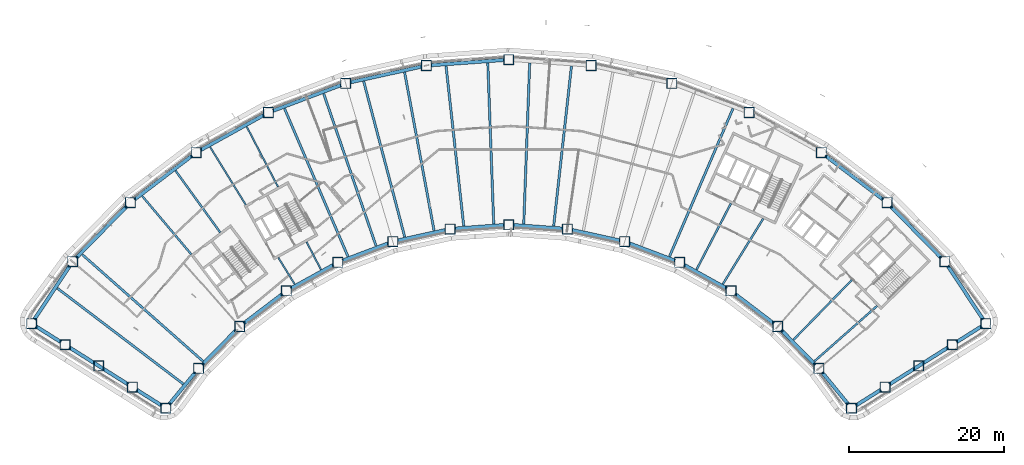
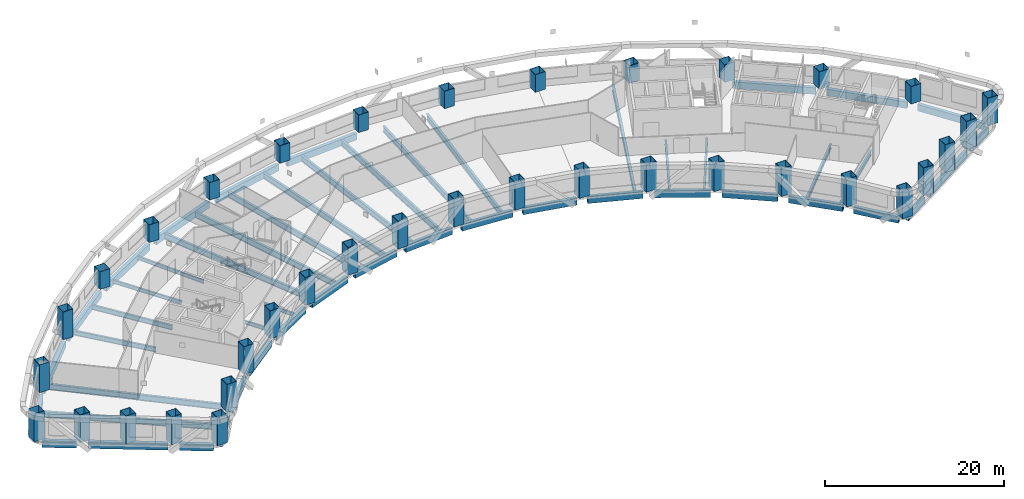
# One storey, part 1 of 19: 51 beams, 36 columns.
"""IFC4 building model written with IfcOpenShell, lengths in metres."""

from ifc_helpers import new_model, si_unit, direction, frame, origin, origin_2d, place, context, subcontext, project, spatial, hollow_rectangle, i_section, extrude, material, material_profile, profile_set, type_object, element, save


model = new_model("IFC4")

# Units and contexts
model_context = context("Model", 3, precision=1e-05, world=origin(), true_north=direction((0.0, 1.0)))
body_context = subcontext(model_context, "Body", "Model", "MODEL_VIEW")
ifc_project = project(units=[si_unit("LENGTHUNIT", "METRE"), si_unit("AREAUNIT", "SQUARE_METRE"), si_unit("VOLUMEUNIT", "CUBIC_METRE"), si_unit("PLANEANGLEUNIT", "RADIAN"), si_unit("MASSUNIT", "GRAM", prefix="KILO")], contexts=[model_context])

# Site, building, storey
site_placement = place(None, origin())
site = spatial("IfcSite", under=ifc_project, at=site_placement, CompositionType="ELEMENT")
building_placement = place(site_placement, origin())
building = spatial("IfcBuilding", under=site, at=building_placement, Name="Tuul Gate Civic Tower", CompositionType="ELEMENT")
storey_placement = place(building_placement, frame((0.0, 0.0, 56.699951171875)))
storey = spatial("IfcBuildingStorey", under=building, at=storey_placement, Name="Level 12", CompositionType="ELEMENT", Elevation=56.699951171875)

# Columns
ifc_material_1 = material(Name="Steel S355", Category="steel")
ifc_material_profile_1 = material_profile(ifc_material_1, hollow_rectangle(XDim=1.300048828125, YDim=1.300048828125, WallThickness=0.0400390625, at=origin_2d()), Name="BOX1300x1300x40")
ifc_profile_set_1 = profile_set([ifc_material_profile_1], Name="Steel S355")
column_type = type_object("IfcColumnType", Name="STR-COLUMN-BOX1300x1300x40", PredefinedType="COLUMN", material=ifc_profile_set_1)
column_placement = place(storey_placement, frame((61.6708984375, -20.22998046875, 0.0), z_axis=(0.0, 0.0, 1.0), x_axis=(1.0, 0.0, 0.0)))
element("IfcColumn", 1, at=column_placement, inside=storey, type_object=column_type, Name="Column", PredefinedType="COLUMN", context=body_context, shape_type="SweptSolid", body=[
    extrude(hollow_rectangle(XDim=1.300048828125, YDim=1.300048828125, WallThickness=0.0400390625, at=origin_2d()), origin(), (0.0, 0.0, 1.0), 3.800048828125),
])
for number, where, z_axis, x_axis, name in (
    (2, (56.3720703125, -12.217041015625, 0.0), (0.0, 0.0, 1.0), (1.0, 0.0, 0.0), "Column"),
    (3, (48.89794921875, -4.592041015625, 0.0), (0.0, 0.0, 1.0), (1.0, 0.0, 0.0), "Column"),
    (4, (40.402099609375, 1.8759765625, 0.0), (0.0, 0.0, 1.0), (1.0, 0.0, 0.0), "Column"),
    (5, (31.06396484375, 7.052001953125, 0.0), (0.0, 0.0, 1.0), (1.0, 0.0, 0.0), "Column"),
    (6, (21.076904296875, 10.8291015625, 0.0), (0.0, 0.0, 1.0), (1.0, 0.0, 0.0), "Column"),
    (7, (10.64892578125, 13.126953125, 0.0), (0.0, 0.0, 1.0), (1.0, 0.0, 0.0), "Column"),
    (8, (0.0, 13.89794921875, 0.0), (0.0, 0.0, 1.0), (1.0, 0.0, 0.0), "Column"),
    (9, (-10.64892578125, 13.126953125, 0.0), (0.0, 0.0, 1.0), (1.0, 0.0, 0.0), "Column"),
    (10, (-21.076904296875, 10.8291015625, 0.0), (0.0, 0.0, 1.0), (1.0, 0.0, 0.0), "Column"),
    (11, (-31.06396484375, 7.052001953125, 0.0), (0.0, 0.0, 1.0), (1.0, 0.0, 0.0), "Column"),
    (12, (-40.402099609375, 1.8759765625, 0.0), (0.0, 0.0, 1.0), (1.0, 0.0, 0.0), "Column"),
):
    element("IfcColumn", number, at=place(storey_placement, frame(where, z_axis=z_axis, x_axis=x_axis)), inside=storey, type_object=column_type, Name=name, PredefinedType="COLUMN", context=body_context, shape_type="SweptSolid", body=[
        extrude(hollow_rectangle(XDim=1.300048828125, YDim=1.300048828125, WallThickness=0.0400390625, at=origin_2d()), origin(), (0.0, 0.0, 1.0), 2.400146484375),
    ])
for number, where, z_axis, x_axis, name in (
    (13, (-48.89794921875, -4.592041015625, 0.0), (0.0, 0.0, 1.0), (1.0, 0.0, 0.0), "Column"),
    (14, (-56.3720703125, -12.217041015625, 0.0), (0.0, 0.0, 1.0), (1.0, 0.0, 0.0), "Column"),
    (15, (-61.6708984375, -20.22998046875, 0.0), (0.0, 0.0, 1.0), (1.0, 0.0, 0.0), "Column"),
    (16, (-57.327880859375, -22.964111328125, 0.0), (0.0, 0.0, 1.0), (1.0, 0.0, 0.0), "Column"),
    (17, (-52.986083984375, -25.698974609375, 0.0), (0.0, 0.0, 1.0), (1.0, 0.0, 0.0), "Column"),
    (18, (-48.64306640625, -28.43408203125, 0.0), (0.0, 0.0, 1.0), (1.0, 0.0, 0.0), "Column"),
    (19, (-44.301025390625, -31.16796875, 0.0), (0.0, 0.0, 1.0), (1.0, 0.0, 0.0), "Column"),
    (20, (-40.0810546875, -26.02587890625, 0.0), (0.0, 0.0, 1.0), (1.0, 0.0, 0.0), "Column"),
    (21, (-34.76708984375, -20.60498046875, 0.0), (0.0, 0.0, 1.0), (1.0, 0.0, 0.0), "Column"),
    (22, (-28.72705078125, -16.006103515625, 0.0), (0.0, 0.0, 1.0), (1.0, 0.0, 0.0), "Column"),
    (23, (-22.0869140625, -12.324951171875, 0.0), (0.0, 0.0, 1.0), (1.0, 0.0, 0.0), "Column"),
    (24, (-14.986083984375, -9.639892578125, 0.0), (0.0, 0.0, 1.0), (1.0, 0.0, 0.0), "Column"),
    (25, (-7.572021484375, -8.006103515625, 0.0), (0.0, 0.0, 1.0), (1.0, 0.0, 0.0), "Column"),
    (26, (0.0, -7.45703125, 0.0), (0.0, 0.0, 1.0), (1.0, 0.0, 0.0), "Column"),
    (27, (7.572021484375, -8.006103515625, 0.0), (0.0, 0.0, 1.0), (1.0, 0.0, 0.0), "Column"),
    (28, (14.986083984375, -9.639892578125, 0.0), (0.0, 0.0, 1.0), (1.0, 0.0, 0.0), "Column"),
    (29, (22.0869140625, -12.324951171875, 0.0), (0.0, 0.0, 1.0), (1.0, 0.0, 0.0), "Column"),
    (30, (28.72705078125, -16.006103515625, 0.0), (0.0, 0.0, 1.0), (1.0, 0.0, 0.0), "Column"),
    (31, (34.76708984375, -20.60498046875, 0.0), (0.0, 0.0, 1.0), (1.0, 0.0, 0.0), "Column"),
    (32, (40.0810546875, -26.02587890625, 0.0), (0.0, 0.0, 1.0), (1.0, 0.0, 0.0), "Column"),
    (33, (44.301025390625, -31.16796875, 0.0), (0.0, 0.0, 1.0), (1.0, 0.0, 0.0), "Column"),
    (34, (48.64306640625, -28.43408203125, 0.0), (0.0, 0.0, 1.0), (1.0, 0.0, 0.0), "Column"),
    (35, (52.986083984375, -25.698974609375, 0.0), (0.0, 0.0, 1.0), (1.0, 0.0, 0.0), "Column"),
    (36, (57.327880859375, -22.964111328125, 0.0), (0.0, 0.0, 1.0), (1.0, 0.0, 0.0), "Column"),
):
    element("IfcColumn", number, at=place(storey_placement, frame(where, z_axis=z_axis, x_axis=x_axis)), inside=storey, type_object=column_type, Name=name, PredefinedType="COLUMN", context=body_context, shape_type="SweptSolid", body=[
        extrude(hollow_rectangle(XDim=1.300048828125, YDim=1.300048828125, WallThickness=0.0400390625, at=origin_2d()), origin(), (0.0, 0.0, 1.0), 3.800048828125),
    ])

# Beams
ifc_material_2 = material(Name="Steel S355", Category="steel")
ifc_material_profile_2 = material_profile(ifc_material_2, i_section(OverallWidth=0.199951171875, OverallDepth=0.5, WebThickness=0.010009765625, FlangeThickness=0.01611328125, at=origin_2d()), Name="PG500x200x10x16")
ifc_profile_set_2 = profile_set([ifc_material_profile_2], Name="Steel S355")
beam_type_1 = type_object("IfcBeamType", Name="STR-FLOOR BEAM-PG500x200x10x16", PredefinedType="BEAM", material=ifc_profile_set_2)
beam_1_placement = place(storey_placement, frame((-24.271484375, -13.25, -0.550048828125), z_axis=(-0.460753800017, 0.887527991541, 0.0), x_axis=(-0.887527991541, -0.460753800017, 0.0)))
element("IfcBeam", 37, at=beam_1_placement, inside=storey, type_object=beam_type_1, Name="Floor beam", PredefinedType="BEAM", context=body_context, shape_type="SweptSolid", body=[
    extrude(i_section(OverallWidth=0.199951171875, OverallDepth=0.5, WebThickness=0.010009765625, FlangeThickness=0.01611328125, at=origin_2d()), origin(), (0.0, 0.0, 1.0), 4.03076171875),
])
beam_2_placement = place(storey_placement, frame((-29.816162109375, -2.570068359375, -0.550048828125), z_axis=(-0.460796303888, 0.887505924669, 0.0), x_axis=(-0.887505924669, -0.460796303888, 0.0)))
element("IfcBeam", 38, at=beam_2_placement, inside=storey, type_object=beam_type_1, Name="Floor beam", PredefinedType="BEAM", context=body_context, shape_type="SweptSolid", body=[
    extrude(i_section(OverallWidth=0.199951171875, OverallDepth=0.5, WebThickness=0.010009765625, FlangeThickness=0.01611328125, at=origin_2d()), origin(), (0.0, 0.0, 1.0), 8.77392578125),
])
beam_3_placement = place(storey_placement, frame((-27.666015625, -15.132080078125, -0.550048828125), z_axis=(-0.52482658642, 0.851209171818, 0.0), x_axis=(-0.851209171818, -0.52482658642, 0.0)))
element("IfcBeam", 39, at=beam_3_placement, inside=storey, type_object=beam_type_1, Name="Floor beam", PredefinedType="BEAM", context=body_context, shape_type="SweptSolid", body=[
    extrude(i_section(OverallWidth=0.199951171875, OverallDepth=0.5, WebThickness=0.010009765625, FlangeThickness=0.01611328125, at=origin_2d()), origin(), (0.0, 0.0, 1.0), 4.0341796875),
])
beam_4_placement = place(storey_placement, frame((-33.986572265625, -4.881591796875, -0.550048828125), z_axis=(-0.524852775892, 0.851193023725, 0.0), x_axis=(-0.851193023725, -0.524852775892, 0.0)))
element("IfcBeam", 40, at=beam_4_placement, inside=storey, type_object=beam_type_1, Name="Floor beam", PredefinedType="BEAM", context=body_context, shape_type="SweptSolid", body=[
    extrude(i_section(OverallWidth=0.199951171875, OverallDepth=0.5, WebThickness=0.010009765625, FlangeThickness=0.01611328125, at=origin_2d()), origin(), (0.0, 0.0, 1.0), 8.77978515625),
])
ifc_material_3 = material(Name="Steel S355", Category="steel")
ifc_material_profile_3 = material_profile(ifc_material_3, i_section(OverallWidth=0.25, OverallDepth=0.64990234375, WebThickness=0.011962890625, FlangeThickness=0.02001953125, at=origin_2d()), Name="PG650x250x12x20")
ifc_profile_set_3 = profile_set([ifc_material_profile_3], Name="Steel S355")
beam_type_2 = type_object("IfcBeamType", Name="STR-FLOOR BEAM-PG650x250x12x20", PredefinedType="BEAM", material=ifc_profile_set_3)
beam_5_placement = place(storey_placement, frame((39.515625, -25.092041015625, -0.625), z_axis=(0.749453803996, 0.662056640836, 0.0), x_axis=(-0.662056640836, 0.749453803996, 0.0)))
element("IfcBeam", 41, at=beam_5_placement, inside=storey, type_object=beam_type_2, Name="Floor beam", PredefinedType="BEAM", context=body_context, shape_type="SweptSolid", body=[
    extrude(i_section(OverallWidth=0.25, OverallDepth=0.64990234375, WebThickness=0.011962890625, FlangeThickness=0.02001953125, at=origin_2d()), origin(), (0.0, 0.0, 1.0), 10.819091796875),
])
beam_6_placement = place(storey_placement, frame((36.79833984375, -22.320068359375, -0.625), z_axis=(0.69867607041, 0.71543815151, 0.0), x_axis=(-0.71543815151, 0.69867607041, 0.0)))
element("IfcBeam", 42, at=beam_6_placement, inside=storey, type_object=beam_type_2, Name="Floor beam", PredefinedType="BEAM", context=body_context, shape_type="SweptSolid", body=[
    extrude(i_section(OverallWidth=0.25, OverallDepth=0.64990234375, WebThickness=0.011962890625, FlangeThickness=0.02001953125, at=origin_2d()), origin(), (0.0, 0.0, 1.0), 10.807373046875),
])
beam_7_placement = place(storey_placement, frame((27.666015625, -15.132080078125, -0.625), z_axis=(0.524860290861, 0.851188389886, 0.0), x_axis=(-0.851188389886, 0.524860290861, 0.0)))
element("IfcBeam", 43, at=beam_7_placement, inside=storey, type_object=beam_type_2, Name="Floor beam", PredefinedType="BEAM", context=body_context, shape_type="SweptSolid", body=[
    extrude(i_section(OverallWidth=0.25, OverallDepth=0.64990234375, WebThickness=0.011962890625, FlangeThickness=0.02001953125, at=origin_2d()), origin(), (0.0, 0.0, 1.0), 9.960693359375),
])
beam_8_placement = place(storey_placement, frame((24.271484375, -13.25, -0.625), z_axis=(0.460769194318, 0.887519999531, 0.0), x_axis=(-0.887519999531, 0.460769194318, 0.0)))
element("IfcBeam", 44, at=beam_8_placement, inside=storey, type_object=beam_type_2, Name="Floor beam", PredefinedType="BEAM", context=body_context, shape_type="SweptSolid", body=[
    extrude(i_section(OverallWidth=0.25, OverallDepth=0.64990234375, WebThickness=0.011962890625, FlangeThickness=0.02001953125, at=origin_2d()), origin(), (0.0, 0.0, 1.0), 9.631103515625),
])
beam_9_placement = place(storey_placement, frame((-37.289794921875, -8.447265625, -0.625), z_axis=(-0.586084828099, 0.810249698717, 0.0), x_axis=(-0.810249698717, -0.586084828099, 0.0)))
element("IfcBeam", 45, at=beam_9_placement, inside=storey, type_object=beam_type_2, Name="Floor beam", PredefinedType="BEAM", context=body_context, shape_type="SweptSolid", body=[
    extrude(i_section(OverallWidth=0.25, OverallDepth=0.64990234375, WebThickness=0.011962890625, FlangeThickness=0.02001953125, at=origin_2d()), origin(), (0.0, 0.0, 1.0), 9.85205078125),
])
beam_10_placement = place(storey_placement, frame((-41.0205078125, -11.28759765625, -0.625), z_axis=(-0.64412583455, 0.764919544308, 0.0), x_axis=(-0.764919544308, -0.64412583455, 0.0)))
element("IfcBeam", 46, at=beam_10_placement, inside=storey, type_object=beam_type_2, Name="Floor beam", PredefinedType="BEAM", context=body_context, shape_type="SweptSolid", body=[
    extrude(i_section(OverallWidth=0.25, OverallDepth=0.64990234375, WebThickness=0.011962890625, FlangeThickness=0.02001953125, at=origin_2d()), origin(), (0.0, 0.0, 1.0), 9.861083984375),
])
ifc_material_4 = material(Name="Steel S355", Category="steel")
ifc_material_profile_4 = material_profile(ifc_material_4, i_section(OverallWidth=0.300048828125, OverallDepth=0.800048828125, WebThickness=0.013916015625, FlangeThickness=0.02490234375, at=origin_2d()), Name="PG800x300x14x25")
ifc_profile_set_4 = profile_set([ifc_material_profile_4], Name="Steel S355")
beam_type_3 = type_object("IfcBeamType", Name="STR-FLOOR BEAM-PG800x300x14x25", PredefinedType="BEAM", material=ifc_profile_set_4)
beam_11_placement = place(storey_placement, frame((20.776611328125, -11.562255859375, -0.699951171875), z_axis=(0.394196672068, 0.91902610612, 0.0), x_axis=(-0.91902610612, 0.394196672068, 0.0)))
element("IfcBeam", 47, at=beam_11_placement, inside=storey, type_object=beam_type_3, Name="Floor beam", PredefinedType="BEAM", context=body_context, shape_type="SweptSolid", body=[
    extrude(i_section(OverallWidth=0.300048828125, OverallDepth=0.800048828125, WebThickness=0.013916015625, FlangeThickness=0.02490234375, at=origin_2d()), origin(), (0.0, 0.0, 1.0), 20.819580078125),
])
beam_12_placement = place(storey_placement, frame((5.811279296875, -7.627685546875, -0.699951171875), z_axis=(0.110288630292, 0.993899601584, 0.0), x_axis=(-0.993899601584, 0.110288630292, 0.0)))
element("IfcBeam", 48, at=beam_12_placement, inside=storey, type_object=beam_type_3, Name="Floor beam", PredefinedType="BEAM", context=body_context, shape_type="SweptSolid", body=[
    extrude(i_section(OverallWidth=0.300048828125, OverallDepth=0.800048828125, WebThickness=0.013916015625, FlangeThickness=0.02490234375, at=origin_2d()), origin(), (0.0, 0.0, 1.0), 20.81494140625),
])
for number, where, z_axis, x_axis, name in (
    (49, (1.9404296875, -7.346923828125, -0.699951171875), (0.036822059508, 0.999321838015, 0.0), (-0.999321838015, 0.036822059508, 0.0), "Floor beam"),
    (50, (-1.9404296875, -7.346923828125, -0.699951171875), (-0.036822059508, 0.999321838015, 0.0), (-0.999321838015, -0.036822059508, 0.0), "Floor beam"),
):
    element("IfcBeam", number, at=place(storey_placement, frame(where, z_axis=z_axis, x_axis=x_axis)), inside=storey, type_object=beam_type_3, Name=name, PredefinedType="BEAM", context=body_context, shape_type="SweptSolid", body=[
        extrude(i_section(OverallWidth=0.300048828125, OverallDepth=0.800048828125, WebThickness=0.013916015625, FlangeThickness=0.02490234375, at=origin_2d()), origin(), (0.0, 0.0, 1.0), 20.8125),
    ])
beam_13_placement = place(storey_placement, frame((-5.811279296875, -7.627685546875, -0.699951171875), z_axis=(-0.110288630292, 0.993899601584, 0.0), x_axis=(-0.993899601584, -0.110288630292, 0.0)))
element("IfcBeam", 51, at=beam_13_placement, inside=storey, type_object=beam_type_3, Name="Floor beam", PredefinedType="BEAM", context=body_context, shape_type="SweptSolid", body=[
    extrude(i_section(OverallWidth=0.300048828125, OverallDepth=0.800048828125, WebThickness=0.013916015625, FlangeThickness=0.02490234375, at=origin_2d()), origin(), (0.0, 0.0, 1.0), 20.81494140625),
])
beam_14_placement = place(storey_placement, frame((-9.6484375, -8.207763671875, -0.699951171875), z_axis=(-0.183147342328, 0.98308547492, 0.0), x_axis=(-0.98308547492, -0.183147342328, 0.0)))
element("IfcBeam", 52, at=beam_14_placement, inside=storey, type_object=beam_type_3, Name="Floor beam", PredefinedType="BEAM", context=body_context, shape_type="SweptSolid", body=[
    extrude(i_section(OverallWidth=0.300048828125, OverallDepth=0.800048828125, WebThickness=0.013916015625, FlangeThickness=0.02490234375, at=origin_2d()), origin(), (0.0, 0.0, 1.0), 20.811279296875),
])
beam_15_placement = place(storey_placement, frame((-13.438720703125, -9.04296875, -0.699951171875), z_axis=(-0.255004720301, 0.96693980817, 0.0), x_axis=(-0.96693980817, -0.255004720301, 0.0)))
element("IfcBeam", 53, at=beam_15_placement, inside=storey, type_object=beam_type_3, Name="Floor beam", PredefinedType="BEAM", context=body_context, shape_type="SweptSolid", body=[
    extrude(i_section(OverallWidth=0.300048828125, OverallDepth=0.800048828125, WebThickness=0.013916015625, FlangeThickness=0.02490234375, at=origin_2d()), origin(), (0.0, 0.0, 1.0), 20.817626953125),
])
beam_16_placement = place(storey_placement, frame((-17.146240234375, -10.189453125, -0.699951171875), z_axis=(-0.325486974479, 0.945546524209, 0.0), x_axis=(-0.945546524209, -0.325486974479, 0.0)))
element("IfcBeam", 54, at=beam_16_placement, inside=storey, type_object=beam_type_3, Name="Floor beam", PredefinedType="BEAM", context=body_context, shape_type="SweptSolid", body=[
    extrude(i_section(OverallWidth=0.300048828125, OverallDepth=0.800048828125, WebThickness=0.013916015625, FlangeThickness=0.02490234375, at=origin_2d()), origin(), (0.0, 0.0, 1.0), 20.809326171875),
])
beam_17_placement = place(storey_placement, frame((-20.776611328125, -11.562255859375, -0.699951171875), z_axis=(-0.394196672068, 0.91902610612, 0.0), x_axis=(-0.91902610612, -0.394196672068, 0.0)))
element("IfcBeam", 55, at=beam_17_placement, inside=storey, type_object=beam_type_3, Name="Floor beam", PredefinedType="BEAM", context=body_context, shape_type="SweptSolid", body=[
    extrude(i_section(OverallWidth=0.300048828125, OverallDepth=0.800048828125, WebThickness=0.013916015625, FlangeThickness=0.02490234375, at=origin_2d()), origin(), (0.0, 0.0, 1.0), 20.819580078125),
])
beam_18_placement = place(storey_placement, frame((-39.515625, -25.092041015625, -0.699951171875), z_axis=(-0.749453243269, 0.662057275584, 0.0), x_axis=(-0.662057275584, -0.749453243269, 0.0)))
element("IfcBeam", 56, at=beam_18_placement, inside=storey, type_object=beam_type_3, Name="Floor beam", PredefinedType="BEAM", context=body_context, shape_type="SweptSolid", body=[
    extrude(i_section(OverallWidth=0.300048828125, OverallDepth=0.800048828125, WebThickness=0.013916015625, FlangeThickness=0.02490234375, at=origin_2d()), origin(), (0.0, 0.0, 1.0), 20.828369140625),
])
beam_19_placement = place(storey_placement, frame((-42.0546875, -28.036865234375, -0.699951171875), z_axis=(-0.796150928405, 0.60509809056, 0.0), x_axis=(-0.60509809056, -0.796150928405, 0.0)))
element("IfcBeam", 57, at=beam_19_placement, inside=storey, type_object=beam_type_3, Name="Floor beam", PredefinedType="BEAM", context=body_context, shape_type="SweptSolid", body=[
    extrude(i_section(OverallWidth=0.300048828125, OverallDepth=0.800048828125, WebThickness=0.013916015625, FlangeThickness=0.02490234375, at=origin_2d()), origin(), (0.0, 0.0, 1.0), 20.462646484375),
])
ifc_material_5 = material(Name="Steel S355", Category="steel")
ifc_material_profile_5 = material_profile(ifc_material_5, hollow_rectangle(XDim=0.449951171875, YDim=0.89990234375, WallThickness=0.02490234375, at=origin_2d()), Name="BOX900x450x25")
ifc_profile_set_5 = profile_set([ifc_material_profile_5], Name="Steel S355")
beam_type_4 = type_object("IfcBeamType", Name="STR-SPANDREL BEAM-BOX900x450x25", PredefinedType="BEAM", material=ifc_profile_set_5)
beam_20_placement = place(storey_placement, frame((61.3125, -19.687744140625, -0.75), z_axis=(-0.551617087086, 0.834097469865, 0.0), x_axis=(-0.834097469865, -0.551617087086, 0.0)))
element("IfcBeam", 58, at=beam_20_placement, inside=storey, type_object=beam_type_4, Name="Spandrel beam", PredefinedType="BEAM", context=body_context, shape_type="SweptSolid", body=[
    extrude(hollow_rectangle(XDim=0.449951171875, YDim=0.89990234375, WallThickness=0.02490234375, at=origin_2d()), origin(), (0.0, 0.0, 1.0), 8.306640625),
])
beam_21_placement = place(storey_placement, frame((55.9169921875, -11.752685546875, -0.75), z_axis=(-0.700002686238, 0.714140209805, 0.0), x_axis=(-0.714140209805, -0.700002686238, 0.0)))
element("IfcBeam", 59, at=beam_21_placement, inside=storey, type_object=beam_type_4, Name="Spandrel beam", PredefinedType="BEAM", context=body_context, shape_type="SweptSolid", body=[
    extrude(hollow_rectangle(XDim=0.449951171875, YDim=0.89990234375, WallThickness=0.02490234375, at=origin_2d()), origin(), (0.0, 0.0, 1.0), 9.376953125),
])
beam_22_placement = place(storey_placement, frame((48.380859375, -4.1982421875, -0.75), z_axis=(-0.795671303352, 0.605728633154, 0.0), x_axis=(-0.605728633154, -0.795671303352, 0.0)))
element("IfcBeam", 60, at=beam_22_placement, inside=storey, type_object=beam_type_4, Name="Spandrel beam", PredefinedType="BEAM", context=body_context, shape_type="SweptSolid", body=[
    extrude(hollow_rectangle(XDim=0.449951171875, YDim=0.89990234375, WallThickness=0.02490234375, at=origin_2d()), origin(), (0.0, 0.0, 1.0), 9.3779296875),
])
beam_23_placement = place(storey_placement, frame((-0.648193359375, 13.85107421875, -0.75), z_axis=(-0.997388439542, -0.072223961869, 0.0), x_axis=(0.072223961869, -0.997388439542, 0.0)))
element("IfcBeam", 61, at=beam_23_placement, inside=storey, type_object=beam_type_4, Name="Spandrel beam", PredefinedType="BEAM", context=body_context, shape_type="SweptSolid", body=[
    extrude(hollow_rectangle(XDim=0.449951171875, YDim=0.89990234375, WallThickness=0.02490234375, at=origin_2d()), origin(), (0.0, 0.0, 1.0), 9.376953125),
])
beam_24_placement = place(storey_placement, frame((-11.28369140625, 12.987060546875, -0.75), z_axis=(-0.976572630495, -0.215188051174, 0.0), x_axis=(0.215188051174, -0.976572630495, 0.0)))
element("IfcBeam", 62, at=beam_24_placement, inside=storey, type_object=beam_type_4, Name="Spandrel beam", PredefinedType="BEAM", context=body_context, shape_type="SweptSolid", body=[
    extrude(hollow_rectangle(XDim=0.449951171875, YDim=0.89990234375, WallThickness=0.02490234375, at=origin_2d()), origin(), (0.0, 0.0, 1.0), 9.378173828125),
])
beam_25_placement = place(storey_placement, frame((-21.68505859375, 10.59912109375, -0.75), z_axis=(-0.935343306637, -0.353741287849, 0.0), x_axis=(0.353741287849, -0.935343306637, 0.0)))
element("IfcBeam", 63, at=beam_25_placement, inside=storey, type_object=beam_type_4, Name="Spandrel beam", PredefinedType="BEAM", context=body_context, shape_type="SweptSolid", body=[
    extrude(hollow_rectangle(XDim=0.449951171875, YDim=0.89990234375, WallThickness=0.02490234375, at=origin_2d()), origin(), (0.0, 0.0, 1.0), 9.377197265625),
])
beam_26_placement = place(storey_placement, frame((-31.632568359375, 6.73681640625, -0.75), z_axis=(-0.874628488078, -0.484793778676, 0.0), x_axis=(0.484793778676, -0.874628488078, 0.0)))
element("IfcBeam", 64, at=beam_26_placement, inside=storey, type_object=beam_type_4, Name="Spandrel beam", PredefinedType="BEAM", context=body_context, shape_type="SweptSolid", body=[
    extrude(hollow_rectangle(XDim=0.449951171875, YDim=0.89990234375, WallThickness=0.02490234375, at=origin_2d()), origin(), (0.0, 0.0, 1.0), 9.37646484375),
])
beam_27_placement = place(storey_placement, frame((-40.919189453125, 1.482177734375, -0.75), z_axis=(-0.795671303352, -0.605728633154, 0.0), x_axis=(0.605728633154, -0.795671303352, 0.0)))
element("IfcBeam", 65, at=beam_27_placement, inside=storey, type_object=beam_type_4, Name="Spandrel beam", PredefinedType="BEAM", context=body_context, shape_type="SweptSolid", body=[
    extrude(hollow_rectangle(XDim=0.449951171875, YDim=0.89990234375, WallThickness=0.02490234375, at=origin_2d()), origin(), (0.0, 0.0, 1.0), 9.3779296875),
])
beam_28_placement = place(storey_placement, frame((-49.35302734375, -5.05615234375, -0.75), z_axis=(-0.700002686238, -0.714140209805, 0.0), x_axis=(0.714140209805, -0.700002686238, 0.0)))
element("IfcBeam", 66, at=beam_28_placement, inside=storey, type_object=beam_type_4, Name="Spandrel beam", PredefinedType="BEAM", context=body_context, shape_type="SweptSolid", body=[
    extrude(hollow_rectangle(XDim=0.449951171875, YDim=0.89990234375, WallThickness=0.02490234375, at=origin_2d()), origin(), (0.0, 0.0, 1.0), 9.376953125),
])
beam_29_placement = place(storey_placement, frame((-56.73046875, -12.75927734375, -0.75), z_axis=(-0.551617087086, -0.834097469865, 0.0), x_axis=(0.834097469865, -0.551617087086, 0.0)))
element("IfcBeam", 67, at=beam_29_placement, inside=storey, type_object=beam_type_4, Name="Spandrel beam", PredefinedType="BEAM", context=body_context, shape_type="SweptSolid", body=[
    extrude(hollow_rectangle(XDim=0.449951171875, YDim=0.89990234375, WallThickness=0.02490234375, at=origin_2d()), origin(), (0.0, 0.0, 1.0), 8.306640625),
])
beam_30_placement = place(storey_placement, frame((-61.120849609375, -20.576171875, -0.75), z_axis=(0.84625411926, -0.53277947186, 0.0), x_axis=(0.53277947186, 0.84625411926, 0.0)))
element("IfcBeam", 68, at=beam_30_placement, inside=storey, type_object=beam_type_4, Name="Spandrel beam", PredefinedType="BEAM", context=body_context, shape_type="SweptSolid", body=[
    extrude(hollow_rectangle(XDim=0.449951171875, YDim=0.89990234375, WallThickness=0.02490234375, at=origin_2d()), origin(), (0.0, 0.0, 1.0), 3.831787109375),
])
beam_31_placement = place(storey_placement, frame((-56.778076171875, -23.310302734375, -0.75), z_axis=(0.846150963227, -0.532943287255, 0.0), x_axis=(0.532943287255, 0.846150963227, 0.0)))
element("IfcBeam", 69, at=beam_31_placement, inside=storey, type_object=beam_type_4, Name="Spandrel beam", PredefinedType="BEAM", context=body_context, shape_type="SweptSolid", body=[
    extrude(hollow_rectangle(XDim=0.449951171875, YDim=0.89990234375, WallThickness=0.02490234375, at=origin_2d()), origin(), (0.0, 0.0, 1.0), 8.964111328125),
])
beam_32_placement = place(storey_placement, frame((-48.093017578125, -28.7802734375, -0.75), z_axis=(0.846199849372, -0.532865663111, 0.0), x_axis=(0.532865663111, 0.846199849372, 0.0)))
element("IfcBeam", 70, at=beam_32_placement, inside=storey, type_object=beam_type_4, Name="Spandrel beam", PredefinedType="BEAM", context=body_context, shape_type="SweptSolid", body=[
    extrude(hollow_rectangle(XDim=0.449951171875, YDim=0.89990234375, WallThickness=0.02490234375, at=origin_2d()), origin(), (0.0, 0.0, 1.0), 3.831298828125),
])
beam_33_placement = place(storey_placement, frame((-43.888671875, -30.66552734375, -0.75), z_axis=(0.634409581781, 0.772997077966, 0.0), x_axis=(-0.772997077966, 0.634409581781, 0.0)))
element("IfcBeam", 71, at=beam_33_placement, inside=storey, type_object=beam_type_4, Name="Spandrel beam", PredefinedType="BEAM", context=body_context, shape_type="SweptSolid", body=[
    extrude(hollow_rectangle(XDim=0.449951171875, YDim=0.89990234375, WallThickness=0.02490234375, at=origin_2d()), origin(), (0.0, 0.0, 1.0), 5.351806640625),
])
beam_34_placement = place(storey_placement, frame((-39.6259765625, -25.561767578125, -0.75), z_axis=(0.700028343012, 0.714115060043, 0.0), x_axis=(-0.714115060043, 0.700028343012, 0.0)))
element("IfcBeam", 72, at=beam_34_placement, inside=storey, type_object=beam_type_4, Name="Spandrel beam", PredefinedType="BEAM", context=body_context, shape_type="SweptSolid", body=[
    extrude(hollow_rectangle(XDim=0.449951171875, YDim=0.89990234375, WallThickness=0.02490234375, at=origin_2d()), origin(), (0.0, 0.0, 1.0), 6.291259765625),
])
beam_35_placement = place(storey_placement, frame((-34.249755859375, -20.211181640625, -0.75), z_axis=(0.795606278915, 0.605814038259, 0.0), x_axis=(-0.605814038259, 0.795606278915, 0.0)))
element("IfcBeam", 73, at=beam_35_placement, inside=storey, type_object=beam_type_4, Name="Spandrel beam", PredefinedType="BEAM", context=body_context, shape_type="SweptSolid", body=[
    extrude(hollow_rectangle(XDim=0.449951171875, YDim=0.89990234375, WallThickness=0.02490234375, at=origin_2d()), origin(), (0.0, 0.0, 1.0), 6.29150390625),
])
beam_36_placement = place(storey_placement, frame((-28.158447265625, -15.69091796875, -0.75), z_axis=(0.874588873098, 0.484865242158, 0.0), x_axis=(-0.484865242158, 0.874588873098, 0.0)))
element("IfcBeam", 74, at=beam_36_placement, inside=storey, type_object=beam_type_4, Name="Spandrel beam", PredefinedType="BEAM", context=body_context, shape_type="SweptSolid", body=[
    extrude(hollow_rectangle(XDim=0.449951171875, YDim=0.89990234375, WallThickness=0.02490234375, at=origin_2d()), origin(), (0.0, 0.0, 1.0), 6.2919921875),
])
beam_37_placement = place(storey_placement, frame((-21.47900390625, -12.09521484375, -0.75), z_axis=(0.93536086851, 0.353694848225, 0.0), x_axis=(-0.353694848225, 0.93536086851, 0.0)))
element("IfcBeam", 75, at=beam_37_placement, inside=storey, type_object=beam_type_4, Name="Spandrel beam", PredefinedType="BEAM", context=body_context, shape_type="SweptSolid", body=[
    extrude(hollow_rectangle(XDim=0.449951171875, YDim=0.89990234375, WallThickness=0.02490234375, at=origin_2d()), origin(), (0.0, 0.0, 1.0), 6.291748046875),
])
beam_38_placement = place(storey_placement, frame((-14.351318359375, -9.5, -0.75), z_axis=(0.976570802394, 0.215196347349, 0.0), x_axis=(-0.215196347349, 0.976570802394, 0.0)))
element("IfcBeam", 76, at=beam_38_placement, inside=storey, type_object=beam_type_4, Name="Spandrel beam", PredefinedType="BEAM", context=body_context, shape_type="SweptSolid", body=[
    extrude(hollow_rectangle(XDim=0.449951171875, YDim=0.89990234375, WallThickness=0.02490234375, at=origin_2d()), origin(), (0.0, 0.0, 1.0), 6.2919921875),
])
for number, where, z_axis, x_axis, name in (
    (77, (-6.923583984375, -7.958984375, -0.75), (0.997380902931, 0.072327964638, 0.0), (-0.072327964638, 0.997380902931, 0.0), "Spandrel beam"),
    (78, (0.648193359375, -7.50390625, -0.75), (0.997380902931, -0.072327964638, 0.0), (0.072327964638, 0.997380902931, 0.0), "Spandrel beam"),
):
    element("IfcBeam", number, at=place(storey_placement, frame(where, z_axis=z_axis, x_axis=x_axis)), inside=storey, type_object=beam_type_4, Name=name, PredefinedType="BEAM", context=body_context, shape_type="SweptSolid", body=[
        extrude(hollow_rectangle(XDim=0.449951171875, YDim=0.89990234375, WallThickness=0.02490234375, at=origin_2d()), origin(), (0.0, 0.0, 1.0), 6.291748046875),
    ])
beam_39_placement = place(storey_placement, frame((8.206787109375, -8.14599609375, -0.75), z_axis=(0.976570802394, -0.215196347349, 0.0), x_axis=(0.215196347349, 0.976570802394, 0.0)))
element("IfcBeam", 79, at=beam_39_placement, inside=storey, type_object=beam_type_4, Name="Spandrel beam", PredefinedType="BEAM", context=body_context, shape_type="SweptSolid", body=[
    extrude(hollow_rectangle(XDim=0.449951171875, YDim=0.89990234375, WallThickness=0.02490234375, at=origin_2d()), origin(), (0.0, 0.0, 1.0), 6.2919921875),
])
beam_40_placement = place(storey_placement, frame((15.593994140625, -9.869873046875, -0.75), z_axis=(0.93536086851, -0.353694848225, 0.0), x_axis=(0.353694848225, 0.93536086851, 0.0)))
element("IfcBeam", 80, at=beam_40_placement, inside=storey, type_object=beam_type_4, Name="Spandrel beam", PredefinedType="BEAM", context=body_context, shape_type="SweptSolid", body=[
    extrude(hollow_rectangle(XDim=0.449951171875, YDim=0.89990234375, WallThickness=0.02490234375, at=origin_2d()), origin(), (0.0, 0.0, 1.0), 6.291748046875),
])
beam_41_placement = place(storey_placement, frame((22.655517578125, -12.64013671875, -0.75), z_axis=(0.874588873098, -0.484865242158, 0.0), x_axis=(0.484865242158, 0.874588873098, 0.0)))
element("IfcBeam", 81, at=beam_41_placement, inside=storey, type_object=beam_type_4, Name="Spandrel beam", PredefinedType="BEAM", context=body_context, shape_type="SweptSolid", body=[
    extrude(hollow_rectangle(XDim=0.449951171875, YDim=0.89990234375, WallThickness=0.02490234375, at=origin_2d()), origin(), (0.0, 0.0, 1.0), 6.2919921875),
])
beam_42_placement = place(storey_placement, frame((29.244140625, -16.399658203125, -0.75), z_axis=(0.795606278915, -0.605814038259, 0.0), x_axis=(0.605814038259, 0.795606278915, 0.0)))
element("IfcBeam", 82, at=beam_42_placement, inside=storey, type_object=beam_type_4, Name="Spandrel beam", PredefinedType="BEAM", context=body_context, shape_type="SweptSolid", body=[
    extrude(hollow_rectangle(XDim=0.449951171875, YDim=0.89990234375, WallThickness=0.02490234375, at=origin_2d()), origin(), (0.0, 0.0, 1.0), 6.29150390625),
])
beam_43_placement = place(storey_placement, frame((35.221923828125, -21.069091796875, -0.75), z_axis=(0.700028343012, -0.714115060043, 0.0), x_axis=(0.714115060043, 0.700028343012, 0.0)))
element("IfcBeam", 83, at=beam_43_placement, inside=storey, type_object=beam_type_4, Name="Spandrel beam", PredefinedType="BEAM", context=body_context, shape_type="SweptSolid", body=[
    extrude(hollow_rectangle(XDim=0.449951171875, YDim=0.89990234375, WallThickness=0.02490234375, at=origin_2d()), origin(), (0.0, 0.0, 1.0), 6.291259765625),
])
beam_44_placement = place(storey_placement, frame((40.493408203125, -26.528564453125, -0.75), z_axis=(0.634409581781, -0.772997077966, 0.0), x_axis=(0.772997077966, 0.634409581781, 0.0)))
element("IfcBeam", 84, at=beam_44_placement, inside=storey, type_object=beam_type_4, Name="Spandrel beam", PredefinedType="BEAM", context=body_context, shape_type="SweptSolid", body=[
    extrude(hollow_rectangle(XDim=0.449951171875, YDim=0.89990234375, WallThickness=0.02490234375, at=origin_2d()), origin(), (0.0, 0.0, 1.0), 5.351806640625),
])
beam_45_placement = place(storey_placement, frame((44.85107421875, -30.82177734375, -0.75), z_axis=(0.846199849372, 0.532865663111, 0.0), x_axis=(-0.532865663111, 0.846199849372, 0.0)))
element("IfcBeam", 85, at=beam_45_placement, inside=storey, type_object=beam_type_4, Name="Spandrel beam", PredefinedType="BEAM", context=body_context, shape_type="SweptSolid", body=[
    extrude(hollow_rectangle(XDim=0.449951171875, YDim=0.89990234375, WallThickness=0.02490234375, at=origin_2d()), origin(), (0.0, 0.0, 1.0), 3.831298828125),
])
beam_46_placement = place(storey_placement, frame((49.193115234375, -28.087646484375, -0.75), z_axis=(0.846150963227, 0.532943287255, 0.0), x_axis=(-0.532943287255, 0.846150963227, 0.0)))
element("IfcBeam", 86, at=beam_46_placement, inside=storey, type_object=beam_type_4, Name="Spandrel beam", PredefinedType="BEAM", context=body_context, shape_type="SweptSolid", body=[
    extrude(hollow_rectangle(XDim=0.449951171875, YDim=0.89990234375, WallThickness=0.02490234375, at=origin_2d()), origin(), (0.0, 0.0, 1.0), 8.964111328125),
])
beam_47_placement = place(storey_placement, frame((57.878173828125, -22.61767578125, -0.75), z_axis=(0.84625411926, 0.53277947186, 0.0), x_axis=(-0.53277947186, 0.84625411926, 0.0)))
element("IfcBeam", 87, at=beam_47_placement, inside=storey, type_object=beam_type_4, Name="Spandrel beam", PredefinedType="BEAM", context=body_context, shape_type="SweptSolid", body=[
    extrude(hollow_rectangle(XDim=0.449951171875, YDim=0.89990234375, WallThickness=0.02490234375, at=origin_2d()), origin(), (0.0, 0.0, 1.0), 3.831787109375),
])

save(model, "model.ifc")
